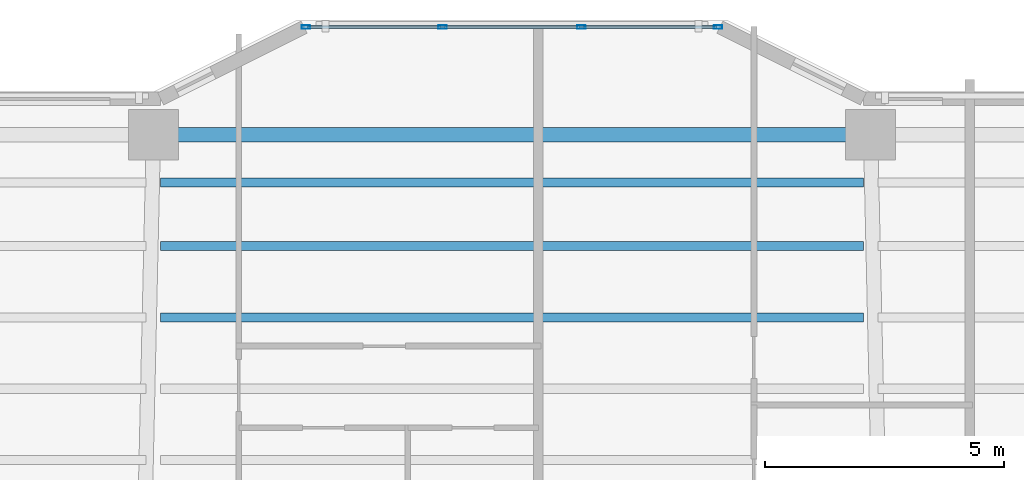
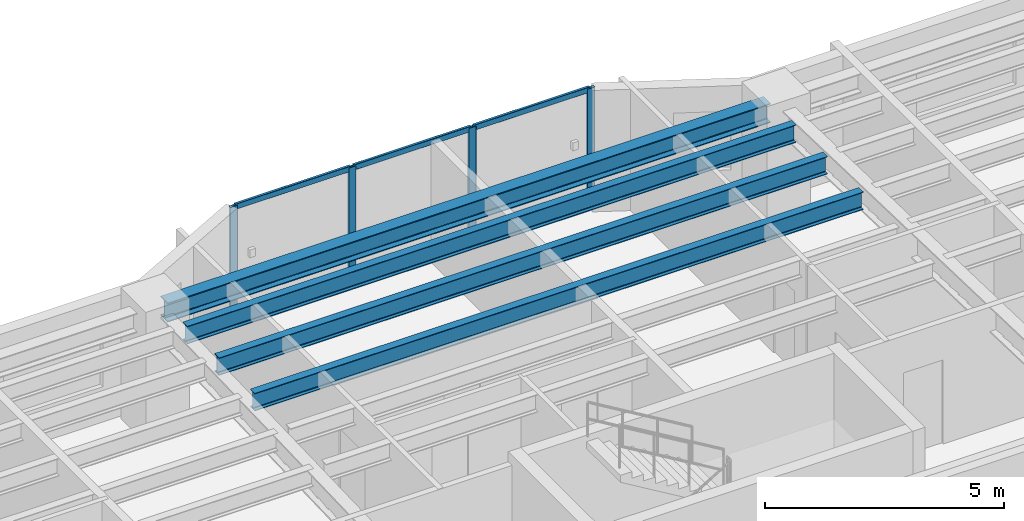
# One storey, part 4 of 18: 10 members, 4 beams, 1 element without a shape of its own.
"""IFC4 building model written with IfcOpenShell, lengths in metres."""

from ifc_helpers import new_model, si_unit, direction, frame, origin, origin_2d, place, context, subcontext, project, spatial, hollow_rectangle, i_section, extrude, material, layer, layer_set, material_profile, profile_set, type_object, element, aggregate, save


model = new_model("IFC4")

# Units and contexts
model_context = context("Model", 3, precision=1e-05, world=origin(), true_north=direction((0.0, 1.0)))
body_context = subcontext(model_context, "Body", "Model", "MODEL_VIEW")
ifc_project = project(units=[si_unit("LENGTHUNIT", "METRE"), si_unit("AREAUNIT", "SQUARE_METRE"), si_unit("VOLUMEUNIT", "CUBIC_METRE"), si_unit("PLANEANGLEUNIT", "RADIAN"), si_unit("MASSUNIT", "GRAM", prefix="KILO")], contexts=[model_context])

# Site, building, storey
site_placement = place(None, origin())
site = spatial("IfcSite", under=ifc_project, at=site_placement, CompositionType="ELEMENT")
building_placement = place(site_placement, origin())
building = spatial("IfcBuilding", under=site, at=building_placement, Name="Tarnavaz Court Tower", CompositionType="ELEMENT")
storey_placement = place(building_placement, frame((0.0, 0.0, 101.75)))
storey = spatial("IfcBuildingStorey", under=building, at=storey_placement, Name="L27", CompositionType="ELEMENT", Elevation=101.75)

# Beams
ifc_material_1 = material(Name="Steel S355", Category="steel")
ifc_material_profile_1 = material_profile(ifc_material_1, i_section(OverallWidth=0.18994140625, OverallDepth=0.449951171875, WebThickness=0.009521484375, FlangeThickness=0.0146484375, FilletRadius=0.02099609375, at=origin_2d()), Name="IPE 450")
ifc_profile_set_1 = profile_set([ifc_material_profile_1], Name="Steel S355")
beam_type_1 = type_object("IfcBeamType", Name="BM-J-IPE450", PredefinedType="JOIST", material=ifc_profile_set_1)
for number, where, z_axis, x_axis, name in (
    (1, (-7.35009765625, 17.48193359375, 2.875), (1.0, 0.0, 0.0), (0.0, 1.0, 0.0), "L27 Beam JN3-2"),
    (2, (-7.35009765625, 18.97607421875, 2.875), (1.0, 0.0, 0.0), (0.0, 1.0, 0.0), "L27 Beam JN4-2"),
    (3, (-7.35009765625, 20.303955078125, 2.875), (1.0, 0.0, 0.0), (0.0, 1.0, 0.0), "L27 Beam JN5-2"),
):
    element("IfcBeam", number, at=place(storey_placement, frame(where, z_axis=z_axis, x_axis=x_axis)), inside=storey, type_object=beam_type_1, Name=name, PredefinedType="JOIST", context=body_context, shape_type="SweptSolid", body=[
        extrude(i_section(OverallWidth=0.18994140625, OverallDepth=0.449951171875, WebThickness=0.009521484375, FlangeThickness=0.0146484375, FilletRadius=0.02099609375, at=origin_2d()), origin(), (0.0, 0.0, 1.0), 14.7001953125),
    ])
ifc_material_profile_2 = material_profile(ifc_material_1, i_section(OverallWidth=0.300048828125, OverallDepth=0.489990234375, WebThickness=0.011962890625, FlangeThickness=0.02294921875, FilletRadius=0.027099609375, at=origin_2d()), Name="HEA 500")
ifc_profile_set_2 = profile_set([ifc_material_profile_2], Name="Steel S355")
beam_type_2 = type_object("IfcBeamType", Name="BM-SP-HEA500", PredefinedType="SPANDREL", material=ifc_profile_set_2)
beam_placement = place(storey_placement, frame((-7.280029296875, 21.300048828125, 2.85498046875), z_axis=(1.0, 0.0, 0.0), x_axis=(0.0, 1.0, 0.0)))
element("IfcBeam", 4, at=beam_placement, inside=storey, type_object=beam_type_2, Name="L27 Beam PR-PN-2-PN-3", PredefinedType="SPANDREL", context=body_context, shape_type="SweptSolid", body=[
    extrude(i_section(OverallWidth=0.300048828125, OverallDepth=0.489990234375, WebThickness=0.011962890625, FlangeThickness=0.02294921875, FilletRadius=0.027099609375, at=origin_2d()), origin(), (0.0, 0.0, 1.0), 14.56005859375),
])

# Curtain wall, members
ifc_material_2 = material(Name="Anodised Aluminium 6063-T6 and Solar Low-E Glazing", Category="aluminium")
ifc_layer = layer(ifc_material_2, 0.179931640625)
ifc_layer_set = layer_set([ifc_layer], Name="Anodised Aluminium 6063-T6 and Solar Low-E Glazing")
curtain_wall_type = type_object("IfcCurtainWallType", Name="CW-SYS-02", PredefinedType="NOTDEFINED", material=ifc_layer_set)
curtain_wall_placement = place(storey_placement, origin())
curtain_wall = element("IfcCurtainWall", 5, at=curtain_wall_placement, inside=storey, type_object=curtain_wall_type, Name="L27 Iwan Prow Curtain Wall 7", PredefinedType="NOTDEFINED")
ifc_material_3 = material(Name="Anodised Aluminium 6063-T6", Category="aluminium")
ifc_material_profile_3 = material_profile(ifc_material_3, hollow_rectangle(XDim=0.074951171875, YDim=0.179931640625, WallThickness=0.0048828125, InnerFilletRadius=0.0048828125, OuterFilletRadius=0.010009765625, at=origin_2d()), Name="ALU RHS 180X75X5")
ifc_profile_set_3 = profile_set([ifc_material_profile_3], Name="Anodised Aluminium 6063-T6")
member_type_1 = type_object("IfcMemberType", Name="CW-MUL-180", PredefinedType="MULLION", material=ifc_profile_set_3)
member_1_placement = place(storey_placement, frame((-4.3125, 23.550048828125, 0.0), z_axis=(0.0, 0.0, 1.0), x_axis=(0.0, 1.0, 0.0)))
member_1 = element("IfcMember", 6, at=member_1_placement, type_object=member_type_1, Name="CW mullion 1", PredefinedType="MULLION", context=body_context, shape_type="SweptSolid", body=[
    extrude(hollow_rectangle(XDim=0.074951171875, YDim=0.179931640625, WallThickness=0.0048828125, InnerFilletRadius=0.0048828125, OuterFilletRadius=0.010009765625, at=origin_2d()), origin(), (0.0, 0.0, 1.0), 3.10009765625),
])
member_2_placement = place(storey_placement, frame((-1.449951171875, 23.550048828125, 0.0), z_axis=(0.0, 0.0, 1.0), x_axis=(0.0, 1.0, 0.0)))
member_2 = element("IfcMember", 7, at=member_2_placement, type_object=member_type_1, Name="CW mullion 2", PredefinedType="MULLION", context=body_context, shape_type="SweptSolid", body=[
    extrude(hollow_rectangle(XDim=0.074951171875, YDim=0.179931640625, WallThickness=0.0048828125, InnerFilletRadius=0.0048828125, OuterFilletRadius=0.010009765625, at=origin_2d()), origin(), (0.0, 0.0, 1.0), 3.10009765625),
])
member_3_placement = place(storey_placement, frame((1.449951171875, 23.550048828125, 0.0), z_axis=(0.0, 0.0, 1.0), x_axis=(0.0, 1.0, 0.0)))
member_3 = element("IfcMember", 8, at=member_3_placement, type_object=member_type_1, Name="CW mullion 3", PredefinedType="MULLION", context=body_context, shape_type="SweptSolid", body=[
    extrude(hollow_rectangle(XDim=0.074951171875, YDim=0.179931640625, WallThickness=0.0048828125, InnerFilletRadius=0.0048828125, OuterFilletRadius=0.010009765625, at=origin_2d()), origin(), (0.0, 0.0, 1.0), 3.10009765625),
])
member_4_placement = place(storey_placement, frame((4.3125, 23.550048828125, 0.0), z_axis=(0.0, 0.0, 1.0), x_axis=(0.0, 1.0, 0.0)))
member_4 = element("IfcMember", 9, at=member_4_placement, type_object=member_type_1, Name="CW mullion 4", PredefinedType="MULLION", context=body_context, shape_type="SweptSolid", body=[
    extrude(hollow_rectangle(XDim=0.074951171875, YDim=0.179931640625, WallThickness=0.0048828125, InnerFilletRadius=0.0048828125, OuterFilletRadius=0.010009765625, at=origin_2d()), origin(), (0.0, 0.0, 1.0), 3.10009765625),
])
ifc_material_profile_4 = material_profile(ifc_material_3, hollow_rectangle(XDim=0.06494140625, YDim=0.139892578125, WallThickness=0.00390625, InnerFilletRadius=0.00390625, OuterFilletRadius=0.008056640625, at=origin_2d()), Name="ALU RHS 140X65X4")
ifc_profile_set_4 = profile_set([ifc_material_profile_4], Name="Anodised Aluminium 6063-T6")
member_type_2 = type_object("IfcMemberType", Name="CW-TRN-140", PredefinedType="USERDEFINED", material=ifc_profile_set_4)
member_5_placement = place(storey_placement, frame((-4.27490234375, 23.550048828125, 0.032470703125), z_axis=(1.0, 0.0, 0.0), x_axis=(0.0, 1.0, 0.0)))
member_5 = element("IfcMember", 10, at=member_5_placement, type_object=member_type_2, Name="CW transom 1.1", ObjectType="TRANSOM", PredefinedType="USERDEFINED", context=body_context, shape_type="SweptSolid", body=[
    extrude(hollow_rectangle(XDim=0.06494140625, YDim=0.139892578125, WallThickness=0.00390625, InnerFilletRadius=0.00390625, OuterFilletRadius=0.008056640625, at=origin_2d()), origin(), (0.0, 0.0, 1.0), 2.787353515625),
])
member_6_placement = place(storey_placement, frame((-4.27490234375, 23.550048828125, 3.0673828125), z_axis=(1.0, 0.0, 0.0), x_axis=(0.0, 1.0, 0.0)))
member_6 = element("IfcMember", 11, at=member_6_placement, type_object=member_type_2, Name="CW transom 1.2", ObjectType="TRANSOM", PredefinedType="USERDEFINED", context=body_context, shape_type="SweptSolid", body=[
    extrude(hollow_rectangle(XDim=0.06494140625, YDim=0.139892578125, WallThickness=0.00390625, InnerFilletRadius=0.00390625, OuterFilletRadius=0.008056640625, at=origin_2d()), origin(), (0.0, 0.0, 1.0), 2.787353515625),
])
member_7_placement = place(storey_placement, frame((-1.41259765625, 23.550048828125, 0.032470703125), z_axis=(1.0, 0.0, 0.0), x_axis=(0.0, 1.0, 0.0)))
member_7 = element("IfcMember", 12, at=member_7_placement, type_object=member_type_2, Name="CW transom 2.1", ObjectType="TRANSOM", PredefinedType="USERDEFINED", context=body_context, shape_type="SweptSolid", body=[
    extrude(hollow_rectangle(XDim=0.06494140625, YDim=0.139892578125, WallThickness=0.00390625, InnerFilletRadius=0.00390625, OuterFilletRadius=0.008056640625, at=origin_2d()), origin(), (0.0, 0.0, 1.0), 2.8251953125),
])
member_8_placement = place(storey_placement, frame((-1.41259765625, 23.550048828125, 3.0673828125), z_axis=(1.0, 0.0, 0.0), x_axis=(0.0, 1.0, 0.0)))
member_8 = element("IfcMember", 13, at=member_8_placement, type_object=member_type_2, Name="CW transom 2.2", ObjectType="TRANSOM", PredefinedType="USERDEFINED", context=body_context, shape_type="SweptSolid", body=[
    extrude(hollow_rectangle(XDim=0.06494140625, YDim=0.139892578125, WallThickness=0.00390625, InnerFilletRadius=0.00390625, OuterFilletRadius=0.008056640625, at=origin_2d()), origin(), (0.0, 0.0, 1.0), 2.8251953125),
])
member_9_placement = place(storey_placement, frame((1.487548828125, 23.550048828125, 0.032470703125), z_axis=(1.0, 0.0, 0.0), x_axis=(0.0, 1.0, 0.0)))
member_9 = element("IfcMember", 14, at=member_9_placement, type_object=member_type_2, Name="CW transom 3.1", ObjectType="TRANSOM", PredefinedType="USERDEFINED", context=body_context, shape_type="SweptSolid", body=[
    extrude(hollow_rectangle(XDim=0.06494140625, YDim=0.139892578125, WallThickness=0.00390625, InnerFilletRadius=0.00390625, OuterFilletRadius=0.008056640625, at=origin_2d()), origin(), (0.0, 0.0, 1.0), 2.787353515625),
])
member_10_placement = place(storey_placement, frame((1.487548828125, 23.550048828125, 3.0673828125), z_axis=(1.0, 0.0, 0.0), x_axis=(0.0, 1.0, 0.0)))
member_10 = element("IfcMember", 15, at=member_10_placement, type_object=member_type_2, Name="CW transom 3.2", ObjectType="TRANSOM", PredefinedType="USERDEFINED", context=body_context, shape_type="SweptSolid", body=[
    extrude(hollow_rectangle(XDim=0.06494140625, YDim=0.139892578125, WallThickness=0.00390625, InnerFilletRadius=0.00390625, OuterFilletRadius=0.008056640625, at=origin_2d()), origin(), (0.0, 0.0, 1.0), 2.787353515625),
])
aggregate(curtain_wall, [member_1, member_2, member_3, member_4, member_5, member_6, member_7, member_8, member_9, member_10])

save(model, "model.ifc")
